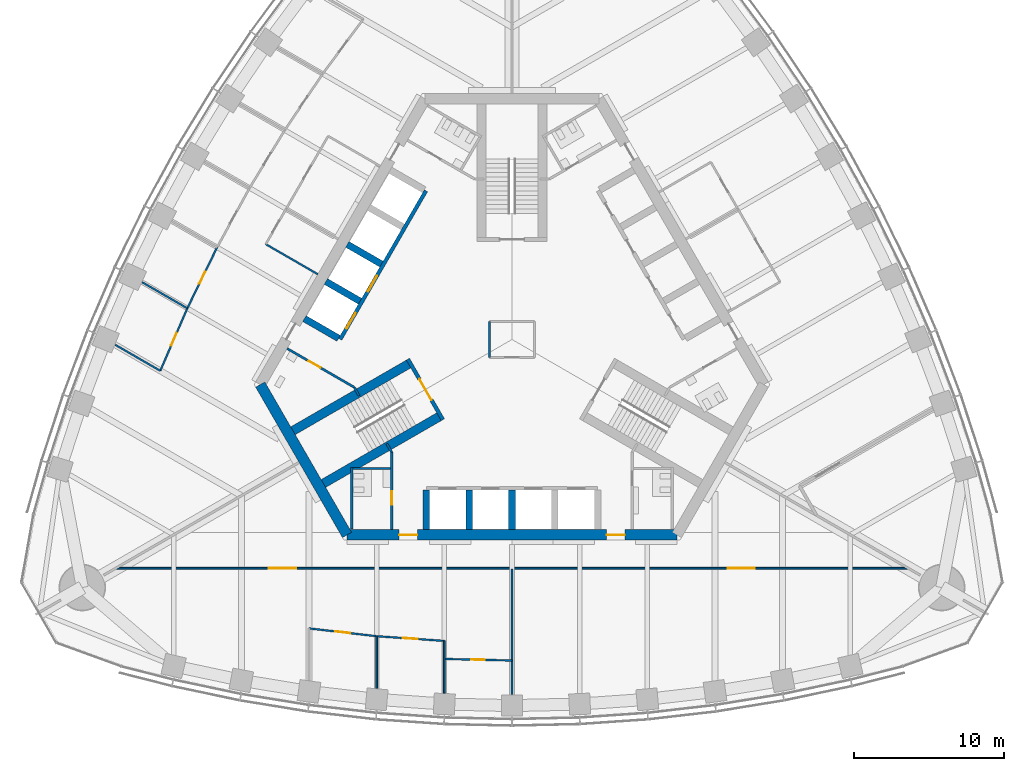
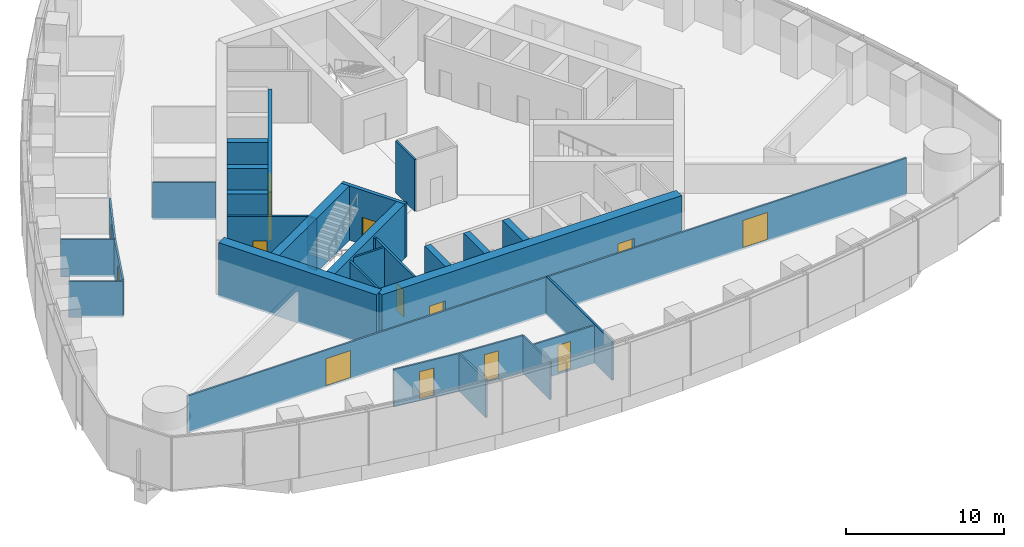
# One storey, part 11 of 19: 31 walls, 14 doors, 14 openings.
"""IFC4 building model written with IfcOpenShell, lengths in metres."""

import ifcopenshell
import ifcopenshell.guid

model = None  # the IFC model being written
_history = None  # IfcOwnerHistory: only IFC2X3 demands one
_inside = {}  # id of a spatial element -> (the spatial element, [elements in it])
_under = {}  # id of a project, library or spatial element -> (it, [spatial elements below it])
_declared = {}  # id of a project -> (the project, [libraries it declares])
_typed = {}  # id of a type object -> (the type object, [elements of that type])
_made_of = {}  # id of a material, layer set ... -> (it, [elements and type objects made of it])


def new_model(schema):
    """Start an empty IFC model of exactly this schema.

    Asked for "IFC4X3", IfcOpenShell would pick the latest addendum, in which some entities
    have other attributes; the version numbers below select the first issue.
    IFC2X3 requires an IfcOwnerHistory on every rooted entity: one is made here for all.
    """
    global model, _history
    if schema == "IFC4X3":
        model = ifcopenshell.file(schema_version=(4, 3, 0, 0))
    else:
        model = ifcopenshell.file(schema=schema)
    _inside.clear()
    _under.clear()
    _declared.clear()
    _typed.clear()
    _made_of.clear()
    _history = None
    if model.schema == "IFC2X3":
        org = make("IfcOrganization", Name="unknown")
        user = make(
            "IfcPersonAndOrganization",
            ThePerson=make("IfcPerson", FamilyName="unknown"),
            TheOrganization=org,
        )
        app = make(
            "IfcApplication",
            ApplicationDeveloper=org,
            Version="unknown",
            ApplicationFullName="unknown",
            ApplicationIdentifier="unknown",
        )
        _history = make(
            "IfcOwnerHistory",
            OwningUser=user,
            OwningApplication=app,
            ChangeAction="ADDED",
            CreationDate=0,
        )
    return model


def make(cls, **values):
    """One entity of the class cls with the attributes given. An attribute that is None is left unset."""
    return model.create_entity(
        cls, **{name: value for name, value in values.items() if value is not None}
    )


def rooted(cls, **values):
    """An entity with a GlobalId (a new one), such as an element, a storey or a relation."""
    return make(cls, GlobalId=ifcopenshell.guid.new(), OwnerHistory=_history, **values)


def si_unit(unit_type, name, prefix=None):
    """IfcSIUnit, for example si_unit("LENGTHUNIT", "METRE", prefix="MILLI")."""
    return make("IfcSIUnit", UnitType=unit_type, Prefix=prefix, Name=name)


def assignment(units):
    """IfcUnitAssignment: the units of a project."""
    return None if units is None else make("IfcUnitAssignment", Units=units)


def point(xyz):
    """IfcCartesianPoint."""
    return None if xyz is None else make("IfcCartesianPoint", Coordinates=xyz)


def direction(xyz):
    """IfcDirection."""
    return None if xyz is None else make("IfcDirection", DirectionRatios=xyz)


def frame(location, z_axis=None, x_axis=None):
    """IfcAxis2Placement3D, a coordinate frame: its origin and axes. An axis left out is left unset."""
    return make(
        "IfcAxis2Placement3D",
        Location=point(location),
        Axis=direction(z_axis),
        RefDirection=direction(x_axis),
    )


def frame_2d(location, x_axis=None):
    """IfcAxis2Placement2D, a coordinate frame in the plane: its origin and x axis."""
    return make(
        "IfcAxis2Placement2D", Location=point(location), RefDirection=direction(x_axis)
    )


def origin():
    """The frame at (0, 0, 0) with its axes left unset."""
    return frame((0.0, 0.0, 0.0))


def place(relative_to, where):
    """IfcLocalPlacement: puts the frame where relative to a parent placement (None: the world)."""
    return make(
        "IfcLocalPlacement", PlacementRelTo=relative_to, RelativePlacement=where
    )


def context(
    kind, dimensions, precision=None, world=None, true_north=None, identifier=None
):
    """IfcGeometricRepresentationContext, for example the 3D "Model" context."""
    return make(
        "IfcGeometricRepresentationContext",
        ContextIdentifier=identifier,
        ContextType=kind,
        CoordinateSpaceDimension=dimensions,
        Precision=precision,
        WorldCoordinateSystem=world,
        TrueNorth=true_north,
    )


def subcontext(parent, identifier, kind, view, scale=None):
    """IfcGeometricRepresentationSubContext, for example "Body" below "Model"."""
    return make(
        "IfcGeometricRepresentationSubContext",
        ContextIdentifier=identifier,
        ContextType=kind,
        ParentContext=parent,
        TargetScale=scale,
        TargetView=view,
    )


def project(units=None, contexts=None):
    """IfcProject with its units and contexts."""
    return rooted(
        "IfcProject",
        Name="project",
        RepresentationContexts=contexts,
        UnitsInContext=assignment(units),
    )


def spatial(cls, under=None, at=None, **own):
    """A site, building, storey or space (cls), placed at a placement, below another one or the project."""
    s = rooted(cls, ObjectPlacement=at, **own)
    if under is not None:
        _under.setdefault(under.id(), (under, []))[1].append(s)
    return s


def profile(cls, at=None, kind="AREA", **sizes):
    """A parametric profile (cls). Its sizes go by their IFC names, for example OverallWidth=200.0."""
    return make(cls, ProfileType=kind, Position=at, **sizes)


def rectangle(**sizes):
    """IfcRectangleProfileDef."""
    return profile("IfcRectangleProfileDef", **sizes)


def extrude(swept, where, along, depth):
    """IfcExtrudedAreaSolid: the profile swept, set in the frame where, extruded along a direction by depth."""
    return make(
        "IfcExtrudedAreaSolid",
        SweptArea=swept,
        Position=where,
        ExtrudedDirection=direction(along),
        Depth=depth,
    )


def shape(context_of_items, identifier, shape_type, items):
    """IfcShapeRepresentation: the items that make up one representation, for example the "Body"."""
    return make(
        "IfcShapeRepresentation",
        ContextOfItems=context_of_items,
        RepresentationIdentifier=identifier,
        RepresentationType=shape_type,
        Items=items,
    )


def material(Name=None, Category=None):
    """IfcMaterial."""
    return make("IfcMaterial", Name=Name, Category=Category)


def layer(
    of_material, thickness, ventilated=None, Name=None, Category=None, Priority=None
):
    """IfcMaterialLayer: one layer of a wall or slab, of a material (None: an air gap)."""
    return make(
        "IfcMaterialLayer",
        Material=of_material,
        LayerThickness=thickness,
        IsVentilated=ventilated,
        Name=Name,
        Category=Category,
        Priority=Priority,
    )


def layer_set(layers, Name=None):
    """IfcMaterialLayerSet."""
    return make("IfcMaterialLayerSet", MaterialLayers=layers, LayerSetName=Name)


def made_of(thing, what):
    """Note that an element or type object is made of a material, layer set ...; save() writes the relation."""
    if what is not None:
        _made_of.setdefault(what.id(), (what, []))[1].append(thing)
    return thing


def type_object(cls, material=None, **own):
    """A type object (cls), such as IfcWallType, which elements share."""
    return made_of(rooted(cls, **own), material)


def element(
    cls,
    number,
    at=None,
    inside=None,
    cuts=None,
    type_object=None,
    material=None,
    context=None,
    identifier="Body",
    shape_type=None,
    held_by="IfcProductDefinitionShape",
    body=None,
    shapes=None,
    **own,
):
    """One element of the class cls, such as IfcWall. Its Tag is "e" and its number.

    at: its placement. inside: the storey or other place that contains it. cuts: it is an
    opening in that element (IfcRelVoidsElement). A single representation is given by context,
    identifier, shape_type and body (its items); several are given by shapes. held_by: the class
    of the entity that holds the representations. save() writes the other relations.
    """
    e = rooted(cls, Tag="e%d" % number, ObjectPlacement=at, **own)
    if body is not None:
        shapes = [shape(context, identifier, shape_type, body)]
    if shapes is not None:
        e.Representation = make(held_by, Representations=shapes)
    if inside is not None:
        _inside.setdefault(inside.id(), (inside, []))[1].append(e)
    if cuts is not None:
        rooted(
            "IfcRelVoidsElement", RelatingBuildingElement=cuts, RelatedOpeningElement=e
        )
    if type_object is not None:
        _typed.setdefault(type_object.id(), (type_object, []))[1].append(e)
    return made_of(e, material)


def fill(opening, filler):
    """IfcRelFillsElement: the door or window that sits in an opening."""
    return rooted(
        "IfcRelFillsElement",
        RelatingOpeningElement=opening,
        RelatedBuildingElement=filler,
    )


def aggregate(whole, parts):
    """IfcRelAggregates: a whole, such as a stair, and the parts it consists of."""
    return rooted("IfcRelAggregates", RelatingObject=whole, RelatedObjects=parts)


def save(model, path):
    """Write the relations noted so far, then the file.

    IfcRelAggregates (storeys below a building ...), IfcRelContainedInSpatialStructure (elements
    in a storey), IfcRelDefinesByType, IfcRelAssociatesMaterial and IfcRelDeclares: one each for
    every whole, place, type object, material and project.
    """
    for whole, parts in _under.values():
        aggregate(whole, parts)
    for where, things in _inside.values():
        rooted(
            "IfcRelContainedInSpatialStructure",
            RelatedElements=things,
            RelatingStructure=where,
        )
    for kind, things in _typed.values():
        rooted("IfcRelDefinesByType", RelatedObjects=things, RelatingType=kind)
    for what, things in _made_of.values():
        rooted("IfcRelAssociatesMaterial", RelatedObjects=things, RelatingMaterial=what)
    for by, libraries in _declared.values():
        rooted("IfcRelDeclares", RelatingContext=by, RelatedDefinitions=libraries)
    model.write(path)


model = new_model("IFC4")

# Units and contexts
model_context = context("Model", 3, precision=1e-05, world=origin(), true_north=direction((0.0, 1.0)))
body_context = subcontext(model_context, "Body", "Model", "MODEL_VIEW")
ifc_project = project(units=[si_unit("LENGTHUNIT", "METRE"), si_unit("AREAUNIT", "SQUARE_METRE"), si_unit("VOLUMEUNIT", "CUBIC_METRE"), si_unit("PLANEANGLEUNIT", "RADIAN"), si_unit("MASSUNIT", "GRAM", prefix="KILO")], contexts=[model_context])

# Site, building, storey
site_placement = place(None, origin())
site = spatial("IfcSite", under=ifc_project, at=site_placement, CompositionType="ELEMENT")
building_placement = place(site_placement, origin())
building = spatial("IfcBuilding", under=site, at=building_placement, Name="Trefoil Bronze Tower", CompositionType="ELEMENT")
storey_placement = place(building_placement, frame((0.0, 0.0, 244.300048828125)))
storey = spatial("IfcBuildingStorey", under=building, at=storey_placement, Name="L56", CompositionType="ELEMENT", Elevation=244.300048828125)

# Wall, openings, doors
ifc_material_1 = material(Name="Concrete B80", Category="concrete")
ifc_layer_1 = layer(ifc_material_1, 0.699951171875)
ifc_layer_set_1 = layer_set([ifc_layer_1], Name="Core wall 700")
wall_type_1 = type_object("IfcWallType", Name="Core wall 700", PredefinedType="SHEAR", material=ifc_layer_set_1)
wall_1_placement = place(storey_placement, frame((-10.9697265625, -13.0, 0.0), z_axis=(0.0, 0.0, 1.0), x_axis=(1.0, 0.0, 0.0)))
wall_1 = element("IfcWall", 1, at=wall_1_placement, inside=storey, type_object=wall_type_1, Name="Core long wall 1 L56", PredefinedType="SHEAR", context=body_context, shape_type="SweptSolid", body=[
    extrude(rectangle(XDim=21.939453125, YDim=0.699951171875, at=frame_2d((10.9697265625, 0.0))), origin(), (0.0, 0.0, 1.0), 4.199951171875),
])
opening_1_placement = place(wall_1_placement, frame((17.269775390625, 0.0, 0.0)))
opening_1 = element("IfcOpeningElement", 2, at=opening_1_placement, cuts=wall_1, Name="Opening D2", PredefinedType="OPENING", context=body_context, shape_type="SweptSolid", body=[
    extrude(rectangle(XDim=1.199951171875, YDim=2.10009765625, at=frame_2d((0.60009765625, 1.050048828125))), frame((0.0, 0.35986328125, 0.0), z_axis=(0.0, -1.0, 0.0), x_axis=(1.0, 0.0, 0.0)), (0.0, 0.0, 1.0), 0.719970703125),
])
opening_2_placement = place(wall_1_placement, frame((3.4697265625, 0.0, 0.0)))
opening_2 = element("IfcOpeningElement", 3, at=opening_2_placement, cuts=wall_1, Name="Opening D2", PredefinedType="OPENING", context=body_context, shape_type="SweptSolid", body=[
    extrude(rectangle(XDim=1.199951171875, YDim=2.10009765625, at=frame_2d((0.60009765625, 1.050048828125))), frame((0.0, 0.35986328125, 0.0), z_axis=(0.0, -1.0, 0.0), x_axis=(1.0, 0.0, 0.0)), (0.0, 0.0, 1.0), 0.719970703125),
])
ifc_material_2 = material(Name="Steel door", Category="steel")
door_type_1 = type_object("IfcDoorType", Name="Lobby door 1200", OperationType="SINGLE_SWING_RIGHT", PredefinedType="DOOR", material=ifc_material_2)
door_1_placement = place(opening_1_placement, origin())
door_1 = element("IfcDoor", 4, at=door_1_placement, inside=storey, type_object=door_type_1, Name="Lobby door F1+ L56", OperationType="SINGLE_SWING_RIGHT", OverallHeight=2.10009765625, OverallWidth=1.199951171875, PredefinedType="DOOR", context=body_context, shape_type="SweptSolid", body=[
    extrude(rectangle(XDim=1.199951171875, YDim=2.10009765625, at=frame_2d((0.60009765625, 1.050048828125))), frame((0.0, 0.02490234375, 0.0), z_axis=(0.0, -1.0, 0.0), x_axis=(1.0, 0.0, 0.0)), (0.0, 0.0, 1.0), 0.050048828125),
])
fill(opening_1, door_1)
door_2_placement = place(opening_2_placement, origin())
door_2 = element("IfcDoor", 5, at=door_2_placement, inside=storey, type_object=door_type_1, Name="Lobby door F1- L56", OperationType="SINGLE_SWING_LEFT", OverallHeight=2.10009765625, OverallWidth=1.199951171875, PredefinedType="DOOR", context=body_context, shape_type="SweptSolid", body=[
    extrude(rectangle(XDim=1.199951171875, YDim=2.10009765625, at=frame_2d((0.60009765625, 1.050048828125))), frame((0.0, 0.02490234375, 0.0), z_axis=(0.0, -1.0, 0.0), x_axis=(1.0, 0.0, 0.0)), (0.0, 0.0, 1.0), 0.050048828125),
])
fill(opening_2, door_2)

# Wall
wall_2_placement = place(storey_placement, frame((-16.7431640625, -3.0, 0.0), z_axis=(0.0, 0.0, 1.0), x_axis=(0.499995765644, -0.866027848477, 0.0)))
element("IfcWall", 6, at=wall_2_placement, inside=storey, type_object=wall_type_1, Name="Core short wall 3 L56", PredefinedType="SHEAR", context=body_context, shape_type="SweptSolid", body=[
    extrude(rectangle(XDim=11.546875, YDim=0.699951171875, at=frame_2d((5.7734375, 0.0))), origin(), (0.0, 0.0, 1.0), 4.199951171875),
])

# Wall, openings, doors
ifc_material_3 = material(Name="Glazed partition", Category="glass")
ifc_layer_2 = layer(ifc_material_3, 0.1201171875)
ifc_layer_set_2 = layer_set([ifc_layer_2], Name="Glazed partition 120")
wall_type_2 = type_object("IfcWallType", Name="Glazed partition 120", PredefinedType="PARTITIONING", material=ifc_layer_set_2)
wall_3_placement = place(storey_placement, frame((-26.311767578125, -15.2099609375, 0.0), z_axis=(0.0, 0.0, 1.0), x_axis=(1.0, 0.0, 0.0)))
wall_3 = element("IfcWall", 7, at=wall_3_placement, inside=storey, type_object=wall_type_2, Name="Partition F1 L56", PredefinedType="PARTITIONING", context=body_context, shape_type="SweptSolid", body=[
    extrude(rectangle(XDim=52.62353515625, YDim=0.1201171875, at=frame_2d((26.311767578125, 0.0))), origin(), (0.0, 0.0, 1.0), 2.89990234375),
])
opening_3_placement = place(wall_3_placement, frame((10.14990234375, 0.0, 0.14990234375)))
opening_3 = element("IfcOpeningElement", 8, at=opening_3_placement, cuts=wall_3, Name="Opening D10", PredefinedType="OPENING", context=body_context, shape_type="SweptSolid", body=[
    extrude(rectangle(XDim=1.800048828125, YDim=2.10009765625, at=frame_2d((0.89990234375, 1.050048828125))), frame((0.0, 0.070068359375, 0.0), z_axis=(0.0, -1.0, 0.0), x_axis=(1.0, 0.0, 0.0)), (0.0, 0.0, 1.0), 0.14013671875),
])
opening_4_placement = place(wall_3_placement, frame((40.64990234375, 0.0, 0.14990234375)))
opening_4 = element("IfcOpeningElement", 9, at=opening_4_placement, cuts=wall_3, Name="Opening D10", PredefinedType="OPENING", context=body_context, shape_type="SweptSolid", body=[
    extrude(rectangle(XDim=1.800048828125, YDim=2.10009765625, at=frame_2d((0.89990234375, 1.050048828125))), frame((0.0, 0.070068359375, 0.0), z_axis=(0.0, -1.0, 0.0), x_axis=(1.0, 0.0, 0.0)), (0.0, 0.0, 1.0), 0.14013671875),
])
ifc_material_4 = material(Name="Timber door", Category="wood")
door_type_2 = type_object("IfcDoorType", Name="Double door 1800", OperationType="DOUBLE_DOOR_SINGLE_SWING", PredefinedType="DOOR", material=ifc_material_4)
door_3_placement = place(opening_3_placement, origin())
door_3 = element("IfcDoor", 10, at=door_3_placement, inside=storey, type_object=door_type_2, Name="Corridor door F1 L56", OperationType="DOUBLE_DOOR_SINGLE_SWING", OverallHeight=2.10009765625, OverallWidth=1.800048828125, PredefinedType="DOOR", context=body_context, shape_type="SweptSolid", body=[
    extrude(rectangle(XDim=1.800048828125, YDim=2.10009765625, at=frame_2d((0.89990234375, 1.050048828125))), frame((0.0, 0.02490234375, 0.0), z_axis=(0.0, -1.0, 0.0), x_axis=(1.0, 0.0, 0.0)), (0.0, 0.0, 1.0), 0.050048828125),
])
fill(opening_3, door_3)
door_4_placement = place(opening_4_placement, origin())
door_4 = element("IfcDoor", 11, at=door_4_placement, inside=storey, type_object=door_type_2, Name="Corridor door F1 L56", OperationType="DOUBLE_DOOR_SINGLE_SWING", OverallHeight=2.10009765625, OverallWidth=1.800048828125, PredefinedType="DOOR", context=body_context, shape_type="SweptSolid", body=[
    extrude(rectangle(XDim=1.800048828125, YDim=2.10009765625, at=frame_2d((0.89990234375, 1.050048828125))), frame((0.0, 0.02490234375, 0.0), z_axis=(0.0, -1.0, 0.0), x_axis=(1.0, 0.0, 0.0)), (0.0, 0.0, 1.0), 0.050048828125),
])
fill(opening_4, door_4)

# Wall, opening, door
wall_4_placement = place(storey_placement, frame((-13.5, -19.216064453125, 0.0), z_axis=(0.0, 0.0, 1.0), x_axis=(0.993382946625, -0.114849124309, 0.0)))
wall_4 = element("IfcWall", 12, at=wall_4_placement, inside=storey, type_object=wall_type_2, Name="Partition F1 L56", PredefinedType="PARTITIONING", context=body_context, shape_type="SweptSolid", body=[
    extrude(rectangle(XDim=4.530029296875, YDim=0.1201171875, at=frame_2d((2.26513671875, 0.0))), origin(), (0.0, 0.0, 1.0), 2.89990234375),
])
opening_5_placement = place(wall_4_placement, frame((1.75, 0.0, 0.14990234375)))
opening_5 = element("IfcOpeningElement", 13, at=opening_5_placement, cuts=wall_4, Name="Opening D9", PredefinedType="OPENING", context=body_context, shape_type="SweptSolid", body=[
    extrude(rectangle(XDim=1.0, YDim=2.10009765625, at=frame_2d((0.5, 1.050048828125))), frame((0.0, 0.070068359375, 0.0), z_axis=(0.0, -1.0, 0.0), x_axis=(1.0, 0.0, 0.0)), (0.0, 0.0, 1.0), 0.14013671875),
])
ifc_material_5 = material(Name="Glazed timber door", Category="wood")
door_type_3 = type_object("IfcDoorType", Name="Meeting room door 1000", OperationType="SINGLE_SWING_LEFT", PredefinedType="DOOR", material=ifc_material_5)
door_5_placement = place(opening_5_placement, frame((1.0, 0.0, 0.0), z_axis=(0.0, 0.0, 1.0), x_axis=(-1.0, 0.0, 0.0)))
door_5 = element("IfcDoor", 14, at=door_5_placement, inside=storey, type_object=door_type_3, Name="Meeting room door F1 L56", OperationType="SINGLE_SWING_RIGHT", OverallHeight=2.10009765625, OverallWidth=1.0, PredefinedType="DOOR", context=body_context, shape_type="SweptSolid", body=[
    extrude(rectangle(XDim=1.0, YDim=2.10009765625, at=frame_2d((0.5, 1.050048828125))), frame((0.0, 0.02490234375, 0.0), z_axis=(0.0, -1.0, 0.0), x_axis=(1.0, 0.0, 0.0)), (0.0, 0.0, 1.0), 0.050048828125),
])
fill(opening_5, door_5)

wall_5_placement = place(storey_placement, frame((-4.5, -21.247314453125, 0.0), z_axis=(0.0, 0.0, 1.0), x_axis=(0.99973677065, -0.022943177842, 0.0)))
wall_5 = element("IfcWall", 15, at=wall_5_placement, inside=storey, type_object=wall_type_2, Name="Partition F1 L56", PredefinedType="PARTITIONING", context=body_context, shape_type="SweptSolid", body=[
    extrude(rectangle(XDim=4.501220703125, YDim=0.1201171875, at=frame_2d((2.25048828125, 0.0))), origin(), (0.0, 0.0, 1.0), 2.89990234375),
])
opening_6_placement = place(wall_5_placement, frame((1.800048828125, 0.0, 0.14990234375)))
opening_6 = element("IfcOpeningElement", 16, at=opening_6_placement, cuts=wall_5, Name="Opening D8", PredefinedType="OPENING", context=body_context, shape_type="SweptSolid", body=[
    extrude(rectangle(XDim=0.89990234375, YDim=2.10009765625, at=frame_2d((0.449951171875, 1.050048828125))), frame((0.0, 0.070068359375, 0.0), z_axis=(0.0, -1.0, 0.0), x_axis=(1.0, 0.0, 0.0)), (0.0, 0.0, 1.0), 0.14013671875),
])
ifc_material_6 = material(Name="Timber door", Category="wood")
door_type_4 = type_object("IfcDoorType", Name="Office door 900", OperationType="SINGLE_SWING_LEFT", PredefinedType="DOOR", material=ifc_material_6)
door_6_placement = place(opening_6_placement, frame((0.89990234375, 0.0, 0.0), z_axis=(0.0, 0.0, 1.0), x_axis=(-1.0, 0.0, 0.0)))
door_6 = element("IfcDoor", 17, at=door_6_placement, inside=storey, type_object=door_type_4, Name="Pantry door F1 L56", OperationType="SINGLE_SWING_RIGHT", OverallHeight=2.10009765625, OverallWidth=0.89990234375, PredefinedType="DOOR", context=body_context, shape_type="SweptSolid", body=[
    extrude(rectangle(XDim=0.89990234375, YDim=2.10009765625, at=frame_2d((0.449951171875, 1.050048828125))), frame((0.0, 0.02490234375, 0.0), z_axis=(0.0, -1.0, 0.0), x_axis=(1.0, 0.0, 0.0)), (0.0, 0.0, 1.0), 0.050048828125),
])
fill(opening_6, door_6)

wall_6_placement = place(storey_placement, frame((-9.0, -19.736328125, 0.0), z_axis=(0.0, 0.0, 1.0), x_axis=(0.997623533978, -0.068900540297, 0.0)))
wall_6 = element("IfcWall", 18, at=wall_6_placement, inside=storey, type_object=wall_type_2, Name="Partition F1 L56", PredefinedType="PARTITIONING", context=body_context, shape_type="SweptSolid", body=[
    extrude(rectangle(XDim=4.5107421875, YDim=0.1201171875, at=frame_2d((2.25537109375, 0.0))), origin(), (0.0, 0.0, 1.0), 2.89990234375),
])
opening_7_placement = place(wall_6_placement, frame((1.75, 0.0, 0.14990234375)))
opening_7 = element("IfcOpeningElement", 19, at=opening_7_placement, cuts=wall_6, Name="Opening D9", PredefinedType="OPENING", context=body_context, shape_type="SweptSolid", body=[
    extrude(rectangle(XDim=1.0, YDim=2.10009765625, at=frame_2d((0.5, 1.050048828125))), frame((0.0, 0.070068359375, 0.0), z_axis=(0.0, -1.0, 0.0), x_axis=(1.0, 0.0, 0.0)), (0.0, 0.0, 1.0), 0.14013671875),
])
door_7_placement = place(opening_7_placement, frame((1.0, 0.0, 0.0), z_axis=(0.0, 0.0, 1.0), x_axis=(-1.0, 0.0, 0.0)))
door_7 = element("IfcDoor", 20, at=door_7_placement, inside=storey, type_object=door_type_3, Name="Meeting room door F1 L56", OperationType="SINGLE_SWING_RIGHT", OverallHeight=2.10009765625, OverallWidth=1.0, PredefinedType="DOOR", context=body_context, shape_type="SweptSolid", body=[
    extrude(rectangle(XDim=1.0, YDim=2.10009765625, at=frame_2d((0.5, 1.050048828125))), frame((0.0, 0.02490234375, 0.0), z_axis=(0.0, -1.0, 0.0), x_axis=(1.0, 0.0, 0.0)), (0.0, 0.0, 1.0), 0.050048828125),
])
fill(opening_7, door_7)

# Walls
wall_7_placement = place(storey_placement, frame((-4.5, -20.047119140625, 0.0), z_axis=(0.0, 0.0, 1.0), x_axis=(0.0, -1.0, 0.0)))
element("IfcWall", 21, at=wall_7_placement, inside=storey, type_object=wall_type_2, Name="Partition F1 L56", PredefinedType="PARTITIONING", context=body_context, shape_type="SweptSolid", body=[
    extrude(rectangle(XDim=3.468505859375, YDim=0.1201171875, at=frame_2d((1.734375, 0.0))), origin(), (0.0, 0.0, 1.0), 2.89990234375),
])
wall_8_placement = place(storey_placement, frame((-9.0, -19.736328125, 0.0), z_axis=(0.0, 0.0, 1.0), x_axis=(0.0, -1.0, 0.0)))
element("IfcWall", 22, at=wall_8_placement, inside=storey, type_object=wall_type_2, Name="Partition F1 L56", PredefinedType="PARTITIONING", context=body_context, shape_type="SweptSolid", body=[
    extrude(rectangle(XDim=3.463623046875, YDim=0.1201171875, at=frame_2d((1.73193359375, 0.0))), origin(), (0.0, 0.0, 1.0), 2.89990234375),
])
wall_9_placement = place(storey_placement, frame((-12.911376953125, 4.336669921875, 0.0), z_axis=(0.0, 0.0, 1.0), x_axis=(-0.866026010844, 0.49999894854, 0.0)))
element("IfcWall", 23, at=wall_9_placement, inside=storey, type_object=wall_type_2, Name="Partition F3 L56", PredefinedType="PARTITIONING", context=body_context, shape_type="SweptSolid", body=[
    extrude(rectangle(XDim=4.0, YDim=0.1201171875, at=frame_2d((2.0, 0.0))), origin(), (0.0, 0.0, 1.0), 2.89990234375),
])

# Wall, opening, door
wall_10_placement = place(storey_placement, frame((-19.611328125, 6.12646484375, 0.0), z_axis=(0.0, 0.0, 1.0), x_axis=(-0.439163535873, -0.898407139753, 0.0)))
wall_10 = element("IfcWall", 24, at=wall_10_placement, inside=storey, type_object=wall_type_2, Name="Partition F3 L56", PredefinedType="PARTITIONING", context=body_context, shape_type="SweptSolid", body=[
    extrude(rectangle(XDim=4.5107421875, YDim=0.1201171875, at=frame_2d((2.25537109375, 0.0))), origin(), (0.0, 0.0, 1.0), 2.89990234375),
])
opening_8_placement = place(wall_10_placement, frame((1.800048828125, 0.0, 0.14990234375)))
opening_8 = element("IfcOpeningElement", 25, at=opening_8_placement, cuts=wall_10, Name="Opening D8", PredefinedType="OPENING", context=body_context, shape_type="SweptSolid", body=[
    extrude(rectangle(XDim=0.89990234375, YDim=2.10009765625, at=frame_2d((0.449951171875, 1.050048828125))), frame((0.0, 0.070068359375, 0.0), z_axis=(0.0, -1.0, 0.0), x_axis=(1.0, 0.0, 0.0)), (0.0, 0.0, 1.0), 0.14013671875),
])
door_8_placement = place(opening_8_placement, frame((0.89990234375, 0.0, 0.0), z_axis=(0.0, 0.0, 1.0), x_axis=(-1.0, 0.0, 0.0)))
door_8 = element("IfcDoor", 26, at=door_8_placement, inside=storey, type_object=door_type_4, Name="Office door F3 L56", OperationType="SINGLE_SWING_RIGHT", OverallHeight=2.10009765625, OverallWidth=0.89990234375, PredefinedType="DOOR", context=body_context, shape_type="SweptSolid", body=[
    extrude(rectangle(XDim=0.89990234375, YDim=2.10009765625, at=frame_2d((0.449951171875, 1.050048828125))), frame((0.0, 0.02490234375, 0.0), z_axis=(0.0, -1.0, 0.0), x_axis=(1.0, 0.0, 0.0)), (0.0, 0.0, 1.0), 0.050048828125),
])
fill(opening_8, door_8)

wall_11_placement = place(storey_placement, frame((-21.59228515625, 2.073974609375, 0.0), z_axis=(0.0, 0.0, 1.0), x_axis=(-0.397208101111, -0.917728567939, 0.0)))
wall_11 = element("IfcWall", 27, at=wall_11_placement, inside=storey, type_object=wall_type_2, Name="Partition F3 L56", PredefinedType="PARTITIONING", context=body_context, shape_type="SweptSolid", body=[
    extrude(rectangle(XDim=4.530029296875, YDim=0.1201171875, at=frame_2d((2.26513671875, 0.0))), origin(), (0.0, 0.0, 1.0), 2.89990234375),
])
opening_9_placement = place(wall_11_placement, frame((1.800048828125, 0.0, 0.14990234375)))
opening_9 = element("IfcOpeningElement", 28, at=opening_9_placement, cuts=wall_11, Name="Opening D8", PredefinedType="OPENING", context=body_context, shape_type="SweptSolid", body=[
    extrude(rectangle(XDim=0.89990234375, YDim=2.10009765625, at=frame_2d((0.449951171875, 1.050048828125))), frame((0.0, 0.070068359375, 0.0), z_axis=(0.0, -1.0, 0.0), x_axis=(1.0, 0.0, 0.0)), (0.0, 0.0, 1.0), 0.14013671875),
])
door_9_placement = place(opening_9_placement, frame((0.89990234375, 0.0, 0.0), z_axis=(0.0, 0.0, 1.0), x_axis=(-1.0, 0.0, 0.0)))
door_9 = element("IfcDoor", 29, at=door_9_placement, inside=storey, type_object=door_type_4, Name="Office door F3 L56", OperationType="SINGLE_SWING_RIGHT", OverallHeight=2.10009765625, OverallWidth=0.89990234375, PredefinedType="DOOR", context=body_context, shape_type="SweptSolid", body=[
    extrude(rectangle(XDim=0.89990234375, YDim=2.10009765625, at=frame_2d((0.449951171875, 1.050048828125))), frame((0.0, 0.02490234375, 0.0), z_axis=(0.0, -1.0, 0.0), x_axis=(1.0, 0.0, 0.0)), (0.0, 0.0, 1.0), 0.050048828125),
])
fill(opening_9, door_9)

# Walls
wall_12_placement = place(storey_placement, frame((-23.3916015625, -2.083251953125, 0.0), z_axis=(0.0, 0.0, 1.0), x_axis=(-0.866043217385, 0.49996914467, 0.0)))
element("IfcWall", 30, at=wall_12_placement, inside=storey, type_object=wall_type_2, Name="Partition F3 L56", PredefinedType="PARTITIONING", context=body_context, shape_type="SweptSolid", body=[
    extrude(rectangle(XDim=3.455322265625, YDim=0.1201171875, at=frame_2d((1.7275390625, 0.0))), origin(), (0.0, 0.0, 1.0), 2.800048828125),
])
wall_13_placement = place(storey_placement, frame((-21.59228515625, 2.073974609375, 0.0), z_axis=(0.0, 0.0, 1.0), x_axis=(-0.866035335986, 0.499982796528, 0.0)))
element("IfcWall", 31, at=wall_13_placement, inside=storey, type_object=wall_type_2, Name="Partition F3 L56", PredefinedType="PARTITIONING", context=body_context, shape_type="SweptSolid", body=[
    extrude(rectangle(XDim=3.46337890625, YDim=0.1201171875, at=frame_2d((1.731689453125, 0.0))), origin(), (0.0, 0.0, 1.0), 2.89990234375),
])
ifc_material_7 = material(Name="Concrete B80", Category="concrete")
ifc_layer_3 = layer(ifc_material_7, 0.449951171875)
ifc_layer_set_3 = layer_set([ifc_layer_3], Name="Outrigger shaft wall 450")
wall_type_3 = type_object("IfcWallType", Name="Outrigger shaft wall 450", PredefinedType="SHEAR", material=ifc_layer_set_3)
for number, where, z_axis, x_axis, name in (
    (32, (-5.699951171875, -10.02490234375, 0.0), (0.0, 0.0, 1.0), (0.0, -1.0, 0.0), "Lift shaft side wall A0 L56"),
    (33, (-2.85009765625, -10.02490234375, 0.0), (0.0, 0.0, 1.0), (0.0, -1.0, 0.0), "Lift shaft side wall A1 L56"),
    (34, (0.0, -10.02490234375, 0.0), (0.0, 0.0, 1.0), (0.0, -1.0, 0.0), "Lift shaft side wall A2 L56"),
    (35, (-8.681884765625, 5.012451171875, 0.0), (0.0, 0.0, 1.0), (-0.866036909293, 0.499980071345, 0.0), "Lift shaft side wall C2 L56"),
    (36, (-10.10693359375, 2.54443359375, 0.0), (0.0, 0.0, 1.0), (-0.866013657776, 0.500020344131, 0.0), "Lift shaft side wall C3 L56"),
    (37, (-11.531982421875, 0.076171875, 0.0), (0.0, 0.0, 1.0), (-0.866013657776, 0.500020344131, 0.0), "Lift shaft side wall C4 L56"),
):
    element("IfcWall", number, at=place(storey_placement, frame(where, z_axis=z_axis, x_axis=x_axis)), inside=storey, type_object=wall_type_3, Name=name, PredefinedType="SHEAR", context=body_context, shape_type="SweptSolid", body=[
        extrude(rectangle(XDim=2.625, YDim=0.449951171875, at=frame_2d((1.3125, 0.0))), origin(), (0.0, 0.0, 1.0), 4.199951171875),
    ])

# Wall, opening, door
ifc_material_8 = material(Name="Gypsum board on steel studs", Category="steel")
ifc_layer_4 = layer(ifc_material_8, 0.14990234375)
ifc_layer_set_4 = layer_set([ifc_layer_4], Name="Partition 150")
wall_type_4 = type_object("IfcWallType", Name="Partition 150", PredefinedType="PARTITIONING", material=ifc_layer_set_4)
wall_14_placement = place(storey_placement, frame((-8.0, -7.5, 0.0), z_axis=(0.0, 0.0, 1.0), x_axis=(0.0, -1.0, 0.0)))
wall_14 = element("IfcWall", 38, at=wall_14_placement, inside=storey, type_object=wall_type_4, Name="Passage wall F1- L56", PredefinedType="PARTITIONING", context=body_context, shape_type="SweptSolid", body=[
    extrude(rectangle(XDim=5.14990234375, YDim=0.14990234375, at=frame_2d((2.574951171875, 0.0))), origin(), (0.0, 0.0, 1.0), 4.0),
])
opening_10_placement = place(wall_14_placement, frame((2.60009765625, 0.0, 0.0)))
opening_10 = element("IfcOpeningElement", 39, at=opening_10_placement, cuts=wall_14, Name="Opening D3", PredefinedType="OPENING", context=body_context, shape_type="SweptSolid", body=[
    extrude(rectangle(XDim=0.89990234375, YDim=2.10009765625, at=frame_2d((0.449951171875, 1.050048828125))), frame((0.0, 0.0849609375, 0.0), z_axis=(0.0, -1.0, 0.0), x_axis=(1.0, 0.0, 0.0)), (0.0, 0.0, 1.0), 0.169921875),
])
ifc_material_9 = material(Name="Timber door", Category="wood")
door_type_5 = type_object("IfcDoorType", Name="WC door 900", OperationType="SINGLE_SWING_LEFT", PredefinedType="DOOR", material=ifc_material_9)
door_10_placement = place(opening_10_placement, frame((0.89990234375, 0.0, 0.0), z_axis=(0.0, 0.0, 1.0), x_axis=(-1.0, 0.0, 0.0)))
door_10 = element("IfcDoor", 40, at=door_10_placement, inside=storey, type_object=door_type_5, Name="WC (women) door L56", OperationType="SINGLE_SWING_RIGHT", OverallHeight=2.10009765625, OverallWidth=0.89990234375, PredefinedType="DOOR", context=body_context, shape_type="SweptSolid", body=[
    extrude(rectangle(XDim=0.89990234375, YDim=2.10009765625, at=frame_2d((0.449951171875, 1.050048828125))), frame((0.0, 0.02490234375, 0.0), z_axis=(0.0, -1.0, 0.0), x_axis=(1.0, 0.0, 0.0)), (0.0, 0.0, 1.0), 0.050048828125),
])
fill(opening_10, door_10)

wall_15_placement = place(storey_placement, frame((-10.4951171875, -3.17822265625, 0.0), z_axis=(0.0, 0.0, 1.0), x_axis=(-0.866037967349, 0.499978238636, 0.0)))
wall_15 = element("IfcWall", 41, at=wall_15_placement, inside=storey, type_object=wall_type_4, Name="Passage wall F3+ L56", PredefinedType="PARTITIONING", context=body_context, shape_type="SweptSolid", body=[
    extrude(rectangle(XDim=5.150146484375, YDim=0.14990234375, at=frame_2d((2.5751953125, 0.0))), origin(), (0.0, 0.0, 1.0), 4.0),
])
opening_11_placement = place(wall_15_placement, frame((2.60009765625, 0.0, 0.0)))
opening_11 = element("IfcOpeningElement", 42, at=opening_11_placement, cuts=wall_15, Name="Opening D3", PredefinedType="OPENING", context=body_context, shape_type="SweptSolid", body=[
    extrude(rectangle(XDim=0.89990234375, YDim=2.10009765625, at=frame_2d((0.449951171875, 1.050048828125))), frame((0.0, 0.0849609375, 0.0), z_axis=(0.0, -1.0, 0.0), x_axis=(1.0, 0.0, 0.0)), (0.0, 0.0, 1.0), 0.169921875),
])
door_11_placement = place(opening_11_placement, origin())
door_11 = element("IfcDoor", 43, at=door_11_placement, inside=storey, type_object=door_type_5, Name="Accessible WC door L56", OperationType="SINGLE_SWING_RIGHT", OverallHeight=2.10009765625, OverallWidth=0.89990234375, PredefinedType="DOOR", context=body_context, shape_type="SweptSolid", body=[
    extrude(rectangle(XDim=0.89990234375, YDim=2.10009765625, at=frame_2d((0.449951171875, 1.050048828125))), frame((0.0, 0.02490234375, 0.0), z_axis=(0.0, -1.0, 0.0), x_axis=(1.0, 0.0, 0.0)), (0.0, 0.0, 1.0), 0.050048828125),
])
fill(opening_11, door_11)

# Walls
for number, where, z_axis, x_axis, name in (
    (44, (-10.4951171875, -3.17822265625, 0.0), (0.0, 0.0, 1.0), (0.499842556608, -0.866116284689, 0.0), "WC wall ST3-1 L56"),
    (45, (-8.0, -7.5, 0.0), (0.0, 0.0, 1.0), (-0.499842556608, 0.866116284689, 0.0), "WC wall ST3+1 L56"),
):
    element("IfcWall", number, at=place(storey_placement, frame(where, z_axis=z_axis, x_axis=x_axis)), inside=storey, type_object=wall_type_4, Name=name, PredefinedType="PARTITIONING", context=body_context, shape_type="SweptSolid", body=[
        extrude(rectangle(XDim=0.645263671875, YDim=0.14990234375, at=frame_2d((0.32275390625, 0.0))), origin(), (0.0, 0.0, 1.0), 4.0),
    ])
wall_16_placement = place(storey_placement, frame((-10.659912109375, -8.5, 0.0), z_axis=(0.0, 0.0, 1.0), x_axis=(0.0, -1.0, 0.0)))
element("IfcWall", 46, at=wall_16_placement, inside=storey, type_object=wall_type_4, Name="WC partition WC (women) L56", PredefinedType="PARTITIONING", context=body_context, shape_type="SweptSolid", body=[
    extrude(rectangle(XDim=4.10009765625, YDim=0.14990234375, at=frame_2d((2.050048828125, 0.0))), origin(), (0.0, 0.0, 1.0), 4.0),
])
wall_17_placement = place(storey_placement, frame((-8.074951171875, -8.574951171875, 0.0), z_axis=(0.0, 0.0, 1.0), x_axis=(-1.0, 0.0, 0.0)))
element("IfcWall", 47, at=wall_17_placement, inside=storey, type_object=wall_type_4, Name="WC partition WC (women) L56", PredefinedType="PARTITIONING", context=body_context, shape_type="SweptSolid", body=[
    extrude(rectangle(XDim=2.510009765625, YDim=0.14990234375, at=frame_2d((1.2548828125, 0.0))), origin(), (0.0, 0.0, 1.0), 4.0),
])
ifc_material_10 = material(Name="Gypsum board on steel studs", Category="steel")
ifc_layer_5 = layer(ifc_material_10, 0.14990234375)
ifc_layer_set_5 = layer_set([ifc_layer_5], Name="Party wall 150")
wall_type_5 = type_object("IfcWallType", Name="Party wall 150", PredefinedType="PARTITIONING", material=ifc_layer_set_5)
wall_18_placement = place(storey_placement, frame((0.0, -15.27001953125, 0.0), z_axis=(0.0, 0.0, 1.0), x_axis=(0.0, -1.0, 0.0)))
element("IfcWall", 48, at=wall_18_placement, inside=storey, type_object=wall_type_5, Name="Demising wall F1 L56", PredefinedType="PARTITIONING", context=body_context, shape_type="SweptSolid", body=[
    extrude(rectangle(XDim=8.3505859375, YDim=0.14990234375, at=frame_2d((4.17529296875, 0.0))), origin(), (0.0, 0.0, 1.0), 2.991943359375),
])
ifc_material_11 = material(Name="Gypsum board on steel studs", Category="steel")
ifc_layer_6 = layer(ifc_material_11, 0.14990234375)
ifc_layer_set_6 = layer_set([ifc_layer_6], Name="Riser wall 150")
wall_type_6 = type_object("IfcWallType", Name="Riser wall 150", PredefinedType="PARTITIONING", material=ifc_layer_set_6)
wall_19_placement = place(storey_placement, frame((-1.5, 1.199951171875, 0.0), z_axis=(0.0, 0.0, 1.0), x_axis=(0.0, -1.0, 0.0)))
element("IfcWall", 49, at=wall_19_placement, inside=storey, type_object=wall_type_6, Name="Riser wall L56", PredefinedType="PARTITIONING", context=body_context, shape_type="SweptSolid", body=[
    extrude(rectangle(XDim=2.39990234375, YDim=0.14990234375, at=frame_2d((1.199951171875, 0.0))), origin(), (0.0, 0.0, 1.0), 4.0),
])

# Wall, openings, doors
ifc_material_12 = material(Name="Concrete B80", Category="concrete")
ifc_layer_7 = layer(ifc_material_12, 0.25)
ifc_layer_set_7 = layer_set([ifc_layer_7], Name="Shaft wall 250")
wall_type_7 = type_object("IfcWallType", Name="Shaft wall 250", PredefinedType="SHEAR", material=ifc_layer_set_7)
wall_20_placement = place(storey_placement, frame((-5.7236328125, 9.88623046875, 0.0), z_axis=(0.0, 0.0, 1.0), x_axis=(-0.500001763848, -0.866024385424, 0.0)))
wall_20 = element("IfcWall", 50, at=wall_20_placement, inside=storey, type_object=wall_type_7, Name="Lift shaft front wall C L56", PredefinedType="SHEAR", context=body_context, shape_type="SweptSolid", body=[
    extrude(rectangle(XDim=11.39990234375, YDim=0.25, at=frame_2d((5.699951171875, 0.0))), origin(), (0.0, 0.0, 1.0), 4.199951171875),
])
opening_12_placement = place(wall_20_placement, frame((6.52490234375, 0.0, 0.0)))
opening_12 = element("IfcOpeningElement", 51, at=opening_12_placement, cuts=wall_20, Name="Opening LD-FL1", PredefinedType="OPENING", context=body_context, shape_type="SweptSolid", body=[
    extrude(rectangle(XDim=1.199951171875, YDim=2.199951171875, at=frame_2d((0.60009765625, 1.10009765625))), frame((0.0, 0.135009765625, 0.0), z_axis=(0.0, -1.0, 0.0), x_axis=(1.0, 0.0, 0.0)), (0.0, 0.0, 1.0), 0.27001953125),
])
opening_13_placement = place(wall_20_placement, frame((9.375, 0.0, 0.0)))
opening_13 = element("IfcOpeningElement", 52, at=opening_13_placement, cuts=wall_20, Name="Opening LD-FL2", PredefinedType="OPENING", context=body_context, shape_type="SweptSolid", body=[
    extrude(rectangle(XDim=1.199951171875, YDim=2.199951171875, at=frame_2d((0.60009765625, 1.10009765625))), frame((0.0, 0.135009765625, 0.0), z_axis=(0.0, -1.0, 0.0), x_axis=(1.0, 0.0, 0.0)), (0.0, 0.0, 1.0), 0.27001953125),
])
ifc_material_13 = material(Name="Steel door", Category="steel")
door_type_6 = type_object("IfcDoorType", Name="Lift landing door 1200", OperationType="DOUBLE_DOOR_SLIDING", PredefinedType="DOOR", material=ifc_material_13)
door_12_placement = place(opening_12_placement, origin())
door_12 = element("IfcDoor", 53, at=door_12_placement, inside=storey, type_object=door_type_6, Name="Lift FL1 landing door L56", OperationType="DOUBLE_DOOR_SLIDING", OverallHeight=2.199951171875, OverallWidth=1.199951171875, PredefinedType="DOOR", context=body_context, shape_type="SweptSolid", body=[
    extrude(rectangle(XDim=1.199951171875, YDim=2.199951171875, at=frame_2d((0.60009765625, 1.10009765625))), frame((0.0, 0.02490234375, 0.0), z_axis=(0.0, -1.0, 0.0), x_axis=(1.0, 0.0, 0.0)), (0.0, 0.0, 1.0), 0.050048828125),
])
fill(opening_12, door_12)
door_13_placement = place(opening_13_placement, origin())
door_13 = element("IfcDoor", 54, at=door_13_placement, inside=storey, type_object=door_type_6, Name="Lift FL2 landing door L56", OperationType="DOUBLE_DOOR_SLIDING", OverallHeight=2.199951171875, OverallWidth=1.199951171875, PredefinedType="DOOR", context=body_context, shape_type="SweptSolid", body=[
    extrude(rectangle(XDim=1.199951171875, YDim=2.199951171875, at=frame_2d((0.60009765625, 1.10009765625))), frame((0.0, 0.02490234375, 0.0), z_axis=(0.0, -1.0, 0.0), x_axis=(1.0, 0.0, 0.0)), (0.0, 0.0, 1.0), 0.050048828125),
])
fill(opening_13, door_13)

# Wall, opening, door
wall_21_placement = place(storey_placement, frame((-6.921630859375, -1.3115234375, 0.0), z_axis=(0.0, 0.0, 1.0), x_axis=(0.499984536904, -0.866034331223, 0.0)))
wall_21 = element("IfcWall", 55, at=wall_21_placement, inside=storey, type_object=wall_type_7, Name="Stair end wall ST3 L56", PredefinedType="SHEAR", context=body_context, shape_type="SweptSolid", body=[
    extrude(rectangle(XDim=4.650146484375, YDim=0.25, at=frame_2d((2.3251953125, 0.0))), origin(), (0.0, 0.0, 1.0), 4.199951171875),
])
opening_14_placement = place(wall_21_placement, frame((1.52490234375, 0.0, 0.0)))
opening_14 = element("IfcOpeningElement", 56, at=opening_14_placement, cuts=wall_21, Name="Opening D1", PredefinedType="OPENING", context=body_context, shape_type="SweptSolid", body=[
    extrude(rectangle(XDim=1.60009765625, YDim=2.10009765625, at=frame_2d((0.800048828125, 1.050048828125))), frame((0.0, 0.135009765625, 0.0), z_axis=(0.0, -1.0, 0.0), x_axis=(1.0, 0.0, 0.0)), (0.0, 0.0, 1.0), 0.27001953125),
])
ifc_material_14 = material(Name="Steel door", Category="steel")
door_type_7 = type_object("IfcDoorType", Name="Stair door 1600", OperationType="DOUBLE_DOOR_SINGLE_SWING", PredefinedType="DOOR", material=ifc_material_14)
door_14_placement = place(opening_14_placement, frame((1.60009765625, 0.0, 0.0), z_axis=(0.0, 0.0, 1.0), x_axis=(-1.0, 0.0, 0.0)))
door_14 = element("IfcDoor", 57, at=door_14_placement, inside=storey, type_object=door_type_7, Name="Stair door ST3 L56", OperationType="DOUBLE_DOOR_SINGLE_SWING", OverallHeight=2.10009765625, OverallWidth=1.60009765625, PredefinedType="DOOR", context=body_context, shape_type="SweptSolid", body=[
    extrude(rectangle(XDim=1.60009765625, YDim=2.10009765625, at=frame_2d((0.800048828125, 1.050048828125))), frame((0.0, 0.02490234375, 0.0), z_axis=(0.0, -1.0, 0.0), x_axis=(1.0, 0.0, 0.0)), (0.0, 0.0, 1.0), 0.050048828125),
])
fill(opening_14, door_14)

# Walls
ifc_material_15 = material(Name="Concrete B80", Category="concrete")
ifc_layer_8 = layer(ifc_material_15, 0.60009765625)
ifc_layer_set_8 = layer_set([ifc_layer_8], Name="Stair wall 600")
wall_type_8 = type_object("IfcWallType", Name="Stair wall 600", PredefinedType="SHEAR", material=ifc_layer_set_8)
for number, where, z_axis, x_axis, name in (
    (58, (-6.663330078125, -1.5087890625, 0.0), (0.0, 0.0, 1.0), (-0.866028310072, -0.499994966129, 0.0), "Stair wall ST3 L56"),
    (59, (-4.638427734375, -5.01611328125, 0.0), (0.0, 0.0, 1.0), (-0.866021621257, -0.500006551472, 0.0), "Stair wall ST3 L56"),
):
    element("IfcWall", number, at=place(storey_placement, frame(where, z_axis=z_axis, x_axis=x_axis)), inside=storey, type_object=wall_type_8, Name=name, PredefinedType="SHEAR", context=body_context, shape_type="SweptSolid", body=[
        extrude(rectangle(XDim=9.125, YDim=0.60009765625, at=frame_2d((4.5625, 0.0))), origin(), (0.0, 0.0, 1.0), 4.199951171875),
    ])

save(model, "model.ifc")
